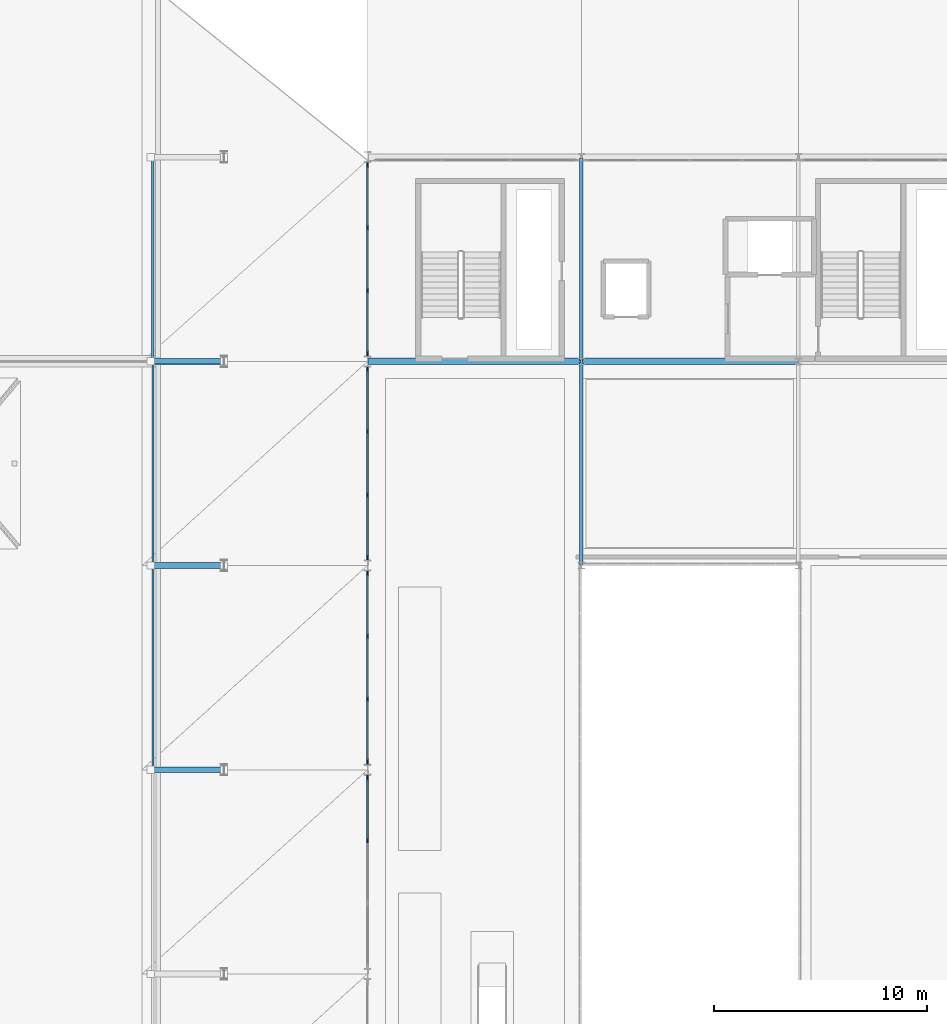
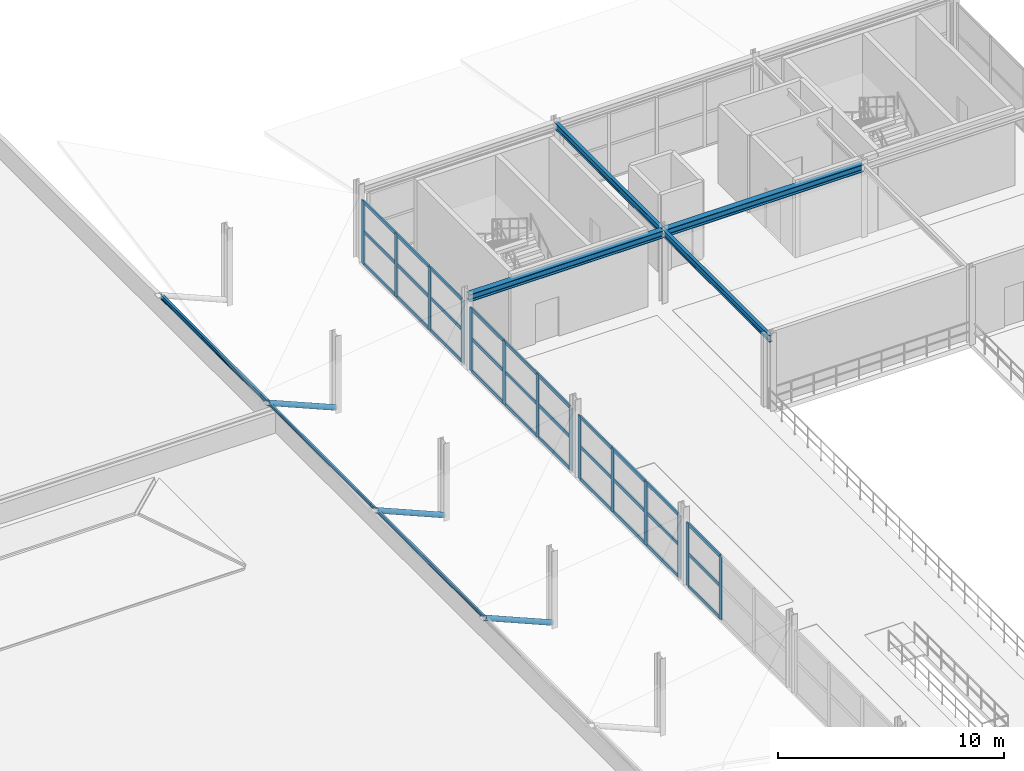
# One storey, part 22 of 81: 50 members, 4 beams, 4 elements without a shape of their own.
"""IFC4 building model written with IfcOpenShell, lengths in metres."""

from ifc_helpers import new_model, si_unit, direction, frame, origin, origin_2d, place, context, subcontext, project, spatial, rectangle, hollow_circle, i_section, extrude, material, layer, layer_set, material_profile, profile_set, type_object, element, aggregate, save


model = new_model("IFC4")

# Units and contexts
model_context = context("Model", 3, precision=1e-05, world=origin(), true_north=direction((0.0, 1.0)))
body_context = subcontext(model_context, "Body", "Model", "MODEL_VIEW")
ifc_project = project(units=[si_unit("LENGTHUNIT", "METRE"), si_unit("AREAUNIT", "SQUARE_METRE"), si_unit("VOLUMEUNIT", "CUBIC_METRE"), si_unit("PLANEANGLEUNIT", "RADIAN"), si_unit("MASSUNIT", "GRAM", prefix="KILO")], contexts=[model_context])

# Site, building, storey
site_placement = place(None, origin())
site = spatial("IfcSite", under=ifc_project, at=site_placement, CompositionType="ELEMENT")
building_placement = place(site_placement, origin())
building = spatial("IfcBuilding", under=site, at=building_placement, Name="Myrtia Square Station", CompositionType="ELEMENT")
storey_placement = place(building_placement, frame((0.0, 0.0, 10.800048828125)))
storey = spatial("IfcBuildingStorey", under=building, at=storey_placement, Name="L02", CompositionType="ELEMENT", Elevation=10.800048828125)

# Beams
ifc_material_1 = material(Name="Steel S355", Category="steel")
ifc_material_profile_1 = material_profile(ifc_material_1, i_section(OverallWidth=0.300048828125, OverallDepth=0.39990234375, WebThickness=0.013427734375, FlangeThickness=0.02392578125, FilletRadius=0.027099609375, at=origin_2d()), Name="HEB 400")
ifc_profile_set_1 = profile_set([ifc_material_profile_1], Name="Steel S355")
beam_type_1 = type_object("IfcBeamType", Name="BM-HEB400", PredefinedType="BEAM", material=ifc_profile_set_1)
beam_1_placement = place(storey_placement, frame((79.39990234375, 86.39990234375, 3.760009765625), z_axis=(1.0, 0.0, 0.0), x_axis=(0.0, 1.0, 0.0)))
element("IfcBeam", 1, at=beam_1_placement, inside=storey, type_object=beam_type_1, Name="Structural girder BMX-L02-0697", PredefinedType="BEAM", context=body_context, shape_type="SweptSolid", body=[
    extrude(i_section(OverallWidth=0.300048828125, OverallDepth=0.39990234375, WebThickness=0.013427734375, FlangeThickness=0.02392578125, FilletRadius=0.027099609375, at=origin_2d()), origin(), (0.0, 0.0, 1.0), 9.9501953125),
])
beam_2_placement = place(storey_placement, frame((89.449951171875, 86.39990234375, 3.760009765625), z_axis=(1.0, 0.0, 0.0), x_axis=(0.0, 1.0, 0.0)))
element("IfcBeam", 2, at=beam_2_placement, inside=storey, type_object=beam_type_1, Name="Structural girder BMX-L02-0698", PredefinedType="BEAM", context=body_context, shape_type="SweptSolid", body=[
    extrude(i_section(OverallWidth=0.300048828125, OverallDepth=0.39990234375, WebThickness=0.013427734375, FlangeThickness=0.02392578125, FilletRadius=0.027099609375, at=origin_2d()), origin(), (0.0, 0.0, 1.0), 10.10009765625),
])
ifc_material_profile_2 = material_profile(ifc_material_1, i_section(OverallWidth=0.169921875, OverallDepth=0.360107421875, WebThickness=0.008056640625, FlangeThickness=0.0126953125, FilletRadius=0.01806640625, at=origin_2d()), Name="IPE 360")
ifc_profile_set_2 = profile_set([ifc_material_profile_2], Name="Steel S355")
beam_type_2 = type_object("IfcBeamType", Name="BM-IPE360", PredefinedType="BEAM", material=ifc_profile_set_2)
for number, where, z_axis, x_axis, name in (
    (3, (89.39990234375, 76.85009765625, 3.780029296875), (0.0, 1.0, 0.0), (-1.0, 0.0, 0.0), "Structural girder BMY-L02-0705"),
    (4, (89.39990234375, 86.449951171875, 3.780029296875), (0.0, 1.0, 0.0), (-1.0, 0.0, 0.0), "Structural girder BMY-L02-0706"),
):
    element("IfcBeam", number, at=place(storey_placement, frame(where, z_axis=z_axis, x_axis=x_axis)), inside=storey, type_object=beam_type_2, Name=name, PredefinedType="BEAM", context=body_context, shape_type="SweptSolid", body=[
        extrude(i_section(OverallWidth=0.169921875, OverallDepth=0.360107421875, WebThickness=0.008056640625, FlangeThickness=0.0126953125, FilletRadius=0.01806640625, at=origin_2d()), origin(), (0.0, 0.0, 1.0), 9.5),
    ])

# Curtain wall, members
ifc_material_2 = material(Name="Dark bronze anodised aluminium", Category="aluminium")
ifc_layer = layer(ifc_material_2, 0.159912109375, Name="Dark bronze anodised aluminium")
ifc_layer_set = layer_set([ifc_layer], Name="Dark bronze anodised aluminium")
curtain_wall_type = type_object("IfcCurtainWallType", Name="CW-TYPE-05-890x341", PredefinedType="USERDEFINED", material=ifc_layer_set)
curtain_wall_1_placement = place(storey_placement, origin())
curtain_wall_1 = element("IfcCurtainWall", 5, at=curtain_wall_1_placement, inside=storey, type_object=curtain_wall_type, Name="Concourse curtain wall CW-L02-025", ObjectType="CONCOURSE CURTAIN WALL", PredefinedType="USERDEFINED")
ifc_material_profile_3 = material_profile(ifc_material_2, rectangle(XDim=0.074951171875, YDim=0.239990234375, at=origin_2d()), Name="ALU-M 75x240")
ifc_profile_set_3 = profile_set([ifc_material_profile_3], Name="Dark bronze anodised aluminium")
member_type_1 = type_object("IfcMemberType", Name="CWM-75x240", PredefinedType="MULLION", material=ifc_profile_set_3)
member_1_placement = place(storey_placement, frame((79.35009765625, 63.88330078125, 0.0), z_axis=(0.0, 0.0, 1.0), x_axis=(-1.0, 0.0, 0.0)))
member_1 = element("IfcMember", 6, at=member_1_placement, type_object=member_type_1, Name="CW-025 mullion 3", PredefinedType="MULLION", context=body_context, shape_type="SweptSolid", body=[
    extrude(rectangle(XDim=0.074951171875, YDim=0.239990234375, at=origin_2d()), origin(), (0.0, 0.0, 1.0), 3.409912109375),
])
member_2_placement = place(storey_placement, frame((79.35009765625, 66.8125, 0.0), z_axis=(0.0, 0.0, 1.0), x_axis=(-1.0, 0.0, 0.0)))
member_2 = element("IfcMember", 7, at=member_2_placement, type_object=member_type_1, Name="CW-025 mullion 4", PredefinedType="MULLION", context=body_context, shape_type="SweptSolid", body=[
    extrude(rectangle(XDim=0.074951171875, YDim=0.239990234375, at=origin_2d()), origin(), (0.0, 0.0, 1.0), 3.409912109375),
])

curtain_wall_2_placement = place(storey_placement, origin())
curtain_wall_2 = element("IfcCurtainWall", 8, at=curtain_wall_2_placement, inside=storey, type_object=curtain_wall_type, Name="Concourse curtain wall CW-L02-027", ObjectType="CONCOURSE CURTAIN WALL", PredefinedType="USERDEFINED")
member_3_placement = place(storey_placement, frame((79.35009765625, 67.58740234375, 0.0), z_axis=(0.0, 0.0, 1.0), x_axis=(-1.0, 0.0, 0.0)))
member_3 = element("IfcMember", 9, at=member_3_placement, type_object=member_type_1, Name="CW-027 mullion 1", PredefinedType="MULLION", context=body_context, shape_type="SweptSolid", body=[
    extrude(rectangle(XDim=0.074951171875, YDim=0.239990234375, at=origin_2d()), origin(), (0.0, 0.0, 1.0), 3.409912109375),
])
member_4_placement = place(storey_placement, frame((79.35009765625, 70.5166015625, 0.0), z_axis=(0.0, 0.0, 1.0), x_axis=(-1.0, 0.0, 0.0)))
member_4 = element("IfcMember", 10, at=member_4_placement, type_object=member_type_1, Name="CW-027 mullion 2", PredefinedType="MULLION", context=body_context, shape_type="SweptSolid", body=[
    extrude(rectangle(XDim=0.074951171875, YDim=0.239990234375, at=origin_2d()), origin(), (0.0, 0.0, 1.0), 3.409912109375),
])
member_5_placement = place(storey_placement, frame((79.35009765625, 73.4833984375, 0.0), z_axis=(0.0, 0.0, 1.0), x_axis=(-1.0, 0.0, 0.0)))
member_5 = element("IfcMember", 11, at=member_5_placement, type_object=member_type_1, Name="CW-027 mullion 3", PredefinedType="MULLION", context=body_context, shape_type="SweptSolid", body=[
    extrude(rectangle(XDim=0.074951171875, YDim=0.239990234375, at=origin_2d()), origin(), (0.0, 0.0, 1.0), 3.409912109375),
])
member_6_placement = place(storey_placement, frame((79.35009765625, 76.41259765625, 0.0), z_axis=(0.0, 0.0, 1.0), x_axis=(-1.0, 0.0, 0.0)))
member_6 = element("IfcMember", 12, at=member_6_placement, type_object=member_type_1, Name="CW-027 mullion 4", PredefinedType="MULLION", context=body_context, shape_type="SweptSolid", body=[
    extrude(rectangle(XDim=0.074951171875, YDim=0.239990234375, at=origin_2d()), origin(), (0.0, 0.0, 1.0), 3.409912109375),
])

curtain_wall_3_placement = place(storey_placement, origin())
curtain_wall_3 = element("IfcCurtainWall", 13, at=curtain_wall_3_placement, inside=storey, type_object=curtain_wall_type, Name="Concourse curtain wall CW-L02-029", ObjectType="CONCOURSE CURTAIN WALL", PredefinedType="USERDEFINED")
member_7_placement = place(storey_placement, frame((79.35009765625, 77.1875, 0.0), z_axis=(0.0, 0.0, 1.0), x_axis=(-1.0, 0.0, 0.0)))
member_7 = element("IfcMember", 14, at=member_7_placement, type_object=member_type_1, Name="CW-029 mullion 1", PredefinedType="MULLION", context=body_context, shape_type="SweptSolid", body=[
    extrude(rectangle(XDim=0.074951171875, YDim=0.239990234375, at=origin_2d()), origin(), (0.0, 0.0, 1.0), 3.409912109375),
])
member_8_placement = place(storey_placement, frame((79.35009765625, 80.11669921875, 0.0), z_axis=(0.0, 0.0, 1.0), x_axis=(-1.0, 0.0, 0.0)))
member_8 = element("IfcMember", 15, at=member_8_placement, type_object=member_type_1, Name="CW-029 mullion 2", PredefinedType="MULLION", context=body_context, shape_type="SweptSolid", body=[
    extrude(rectangle(XDim=0.074951171875, YDim=0.239990234375, at=origin_2d()), origin(), (0.0, 0.0, 1.0), 3.409912109375),
])
member_9_placement = place(storey_placement, frame((79.35009765625, 83.083251953125, 0.0), z_axis=(0.0, 0.0, 1.0), x_axis=(-1.0, 0.0, 0.0)))
member_9 = element("IfcMember", 16, at=member_9_placement, type_object=member_type_1, Name="CW-029 mullion 3", PredefinedType="MULLION", context=body_context, shape_type="SweptSolid", body=[
    extrude(rectangle(XDim=0.074951171875, YDim=0.239990234375, at=origin_2d()), origin(), (0.0, 0.0, 1.0), 3.409912109375),
])
member_10_placement = place(storey_placement, frame((79.35009765625, 86.012451171875, 0.0), z_axis=(0.0, 0.0, 1.0), x_axis=(-1.0, 0.0, 0.0)))
member_10 = element("IfcMember", 17, at=member_10_placement, type_object=member_type_1, Name="CW-029 mullion 4", PredefinedType="MULLION", context=body_context, shape_type="SweptSolid", body=[
    extrude(rectangle(XDim=0.074951171875, YDim=0.239990234375, at=origin_2d()), origin(), (0.0, 0.0, 1.0), 3.409912109375),
])

curtain_wall_4_placement = place(storey_placement, origin())
curtain_wall_4 = element("IfcCurtainWall", 18, at=curtain_wall_4_placement, inside=storey, type_object=curtain_wall_type, Name="Concourse curtain wall CW-L02-031", ObjectType="CONCOURSE CURTAIN WALL", PredefinedType="USERDEFINED")
member_11_placement = place(storey_placement, frame((79.35009765625, 86.78759765625, 0.0), z_axis=(0.0, 0.0, 1.0), x_axis=(-1.0, 0.0, 0.0)))
member_11 = element("IfcMember", 19, at=member_11_placement, type_object=member_type_1, Name="CW-031 mullion 1", PredefinedType="MULLION", context=body_context, shape_type="SweptSolid", body=[
    extrude(rectangle(XDim=0.074951171875, YDim=0.239990234375, at=origin_2d()), origin(), (0.0, 0.0, 1.0), 3.409912109375),
])
member_12_placement = place(storey_placement, frame((79.35009765625, 89.716552734375, 0.0), z_axis=(0.0, 0.0, 1.0), x_axis=(-1.0, 0.0, 0.0)))
member_12 = element("IfcMember", 20, at=member_12_placement, type_object=member_type_1, Name="CW-031 mullion 2", PredefinedType="MULLION", context=body_context, shape_type="SweptSolid", body=[
    extrude(rectangle(XDim=0.074951171875, YDim=0.239990234375, at=origin_2d()), origin(), (0.0, 0.0, 1.0), 3.409912109375),
])
member_13_placement = place(storey_placement, frame((79.35009765625, 92.683349609375, 0.0), z_axis=(0.0, 0.0, 1.0), x_axis=(-1.0, 0.0, 0.0)))
member_13 = element("IfcMember", 21, at=member_13_placement, type_object=member_type_1, Name="CW-031 mullion 3", PredefinedType="MULLION", context=body_context, shape_type="SweptSolid", body=[
    extrude(rectangle(XDim=0.074951171875, YDim=0.239990234375, at=origin_2d()), origin(), (0.0, 0.0, 1.0), 3.409912109375),
])
member_14_placement = place(storey_placement, frame((79.35009765625, 95.612548828125, 0.0), z_axis=(0.0, 0.0, 1.0), x_axis=(-1.0, 0.0, 0.0)))
member_14 = element("IfcMember", 22, at=member_14_placement, type_object=member_type_1, Name="CW-031 mullion 4", PredefinedType="MULLION", context=body_context, shape_type="SweptSolid", body=[
    extrude(rectangle(XDim=0.074951171875, YDim=0.239990234375, at=origin_2d()), origin(), (0.0, 0.0, 1.0), 3.409912109375),
])

# Member
ifc_material_profile_4 = material_profile(ifc_material_2, rectangle(XDim=0.074951171875, YDim=0.179931640625, at=origin_2d()), Name="ALU-T 75x180")
ifc_profile_set_4 = profile_set([ifc_material_profile_4], Name="Dark bronze anodised aluminium")
member_type_2 = type_object("IfcMemberType", Name="CWT-75x180", PredefinedType="USERDEFINED", material=ifc_profile_set_4)
member_15_placement = place(storey_placement, frame((79.35009765625, 63.9208984375, 0.037353515625), z_axis=(0.0, 1.0, 0.0), x_axis=(-1.0, 0.0, 0.0)))
member_15 = element("IfcMember", 23, at=member_15_placement, type_object=member_type_2, Name="CW-025 transom 3.1", ObjectType="TRANSOM", PredefinedType="USERDEFINED", context=body_context, shape_type="SweptSolid", body=[
    extrude(rectangle(XDim=0.074951171875, YDim=0.179931640625, at=origin_2d()), origin(), (0.0, 0.0, 1.0), 2.85400390625),
])

member_16_placement = place(storey_placement, frame((79.35009765625, 63.9208984375, 1.77294921875), z_axis=(0.0, 1.0, 0.0), x_axis=(-1.0, 0.0, 0.0)))
member_16 = element("IfcMember", 24, at=member_16_placement, type_object=member_type_2, Name="CW-025 transom 3.2", ObjectType="TRANSOM", PredefinedType="USERDEFINED", context=body_context, shape_type="SweptSolid", body=[
    extrude(rectangle(XDim=0.074951171875, YDim=0.179931640625, at=origin_2d()), origin(), (0.0, 0.0, 1.0), 2.85400390625),
])

member_17_placement = place(storey_placement, frame((79.35009765625, 63.9208984375, 3.37255859375), z_axis=(0.0, 1.0, 0.0), x_axis=(-1.0, 0.0, 0.0)))
member_17 = element("IfcMember", 25, at=member_17_placement, type_object=member_type_2, Name="CW-025 transom 3.3", ObjectType="TRANSOM", PredefinedType="USERDEFINED", context=body_context, shape_type="SweptSolid", body=[
    extrude(rectangle(XDim=0.074951171875, YDim=0.179931640625, at=origin_2d()), origin(), (0.0, 0.0, 1.0), 2.85400390625),
])

aggregate(curtain_wall_1, [member_1, member_2, member_15, member_16, member_17])

member_18_placement = place(storey_placement, frame((79.35009765625, 67.625, 0.037353515625), z_axis=(0.0, 1.0, 0.0), x_axis=(-1.0, 0.0, 0.0)))
member_18 = element("IfcMember", 26, at=member_18_placement, type_object=member_type_2, Name="CW-027 transom 1.1", ObjectType="TRANSOM", PredefinedType="USERDEFINED", context=body_context, shape_type="SweptSolid", body=[
    extrude(rectangle(XDim=0.074951171875, YDim=0.179931640625, at=origin_2d()), origin(), (0.0, 0.0, 1.0), 2.854248046875),
])

member_19_placement = place(storey_placement, frame((79.35009765625, 67.625, 1.77294921875), z_axis=(0.0, 1.0, 0.0), x_axis=(-1.0, 0.0, 0.0)))
member_19 = element("IfcMember", 27, at=member_19_placement, type_object=member_type_2, Name="CW-027 transom 1.2", ObjectType="TRANSOM", PredefinedType="USERDEFINED", context=body_context, shape_type="SweptSolid", body=[
    extrude(rectangle(XDim=0.074951171875, YDim=0.179931640625, at=origin_2d()), origin(), (0.0, 0.0, 1.0), 2.854248046875),
])

member_20_placement = place(storey_placement, frame((79.35009765625, 67.625, 3.37255859375), z_axis=(0.0, 1.0, 0.0), x_axis=(-1.0, 0.0, 0.0)))
member_20 = element("IfcMember", 28, at=member_20_placement, type_object=member_type_2, Name="CW-027 transom 1.3", ObjectType="TRANSOM", PredefinedType="USERDEFINED", context=body_context, shape_type="SweptSolid", body=[
    extrude(rectangle(XDim=0.074951171875, YDim=0.179931640625, at=origin_2d()), origin(), (0.0, 0.0, 1.0), 2.854248046875),
])

member_21_placement = place(storey_placement, frame((79.35009765625, 70.55419921875, 0.037353515625), z_axis=(0.0, 1.0, 0.0), x_axis=(-1.0, 0.0, 0.0)))
member_21 = element("IfcMember", 29, at=member_21_placement, type_object=member_type_2, Name="CW-027 transom 2.1", ObjectType="TRANSOM", PredefinedType="USERDEFINED", context=body_context, shape_type="SweptSolid", body=[
    extrude(rectangle(XDim=0.074951171875, YDim=0.179931640625, at=origin_2d()), origin(), (0.0, 0.0, 1.0), 2.8916015625),
])

member_22_placement = place(storey_placement, frame((79.35009765625, 70.55419921875, 1.77294921875), z_axis=(0.0, 1.0, 0.0), x_axis=(-1.0, 0.0, 0.0)))
member_22 = element("IfcMember", 30, at=member_22_placement, type_object=member_type_2, Name="CW-027 transom 2.2", ObjectType="TRANSOM", PredefinedType="USERDEFINED", context=body_context, shape_type="SweptSolid", body=[
    extrude(rectangle(XDim=0.074951171875, YDim=0.179931640625, at=origin_2d()), origin(), (0.0, 0.0, 1.0), 2.8916015625),
])

member_23_placement = place(storey_placement, frame((79.35009765625, 70.55419921875, 3.37255859375), z_axis=(0.0, 1.0, 0.0), x_axis=(-1.0, 0.0, 0.0)))
member_23 = element("IfcMember", 31, at=member_23_placement, type_object=member_type_2, Name="CW-027 transom 2.3", ObjectType="TRANSOM", PredefinedType="USERDEFINED", context=body_context, shape_type="SweptSolid", body=[
    extrude(rectangle(XDim=0.074951171875, YDim=0.179931640625, at=origin_2d()), origin(), (0.0, 0.0, 1.0), 2.8916015625),
])

member_24_placement = place(storey_placement, frame((79.35009765625, 73.520751953125, 0.037353515625), z_axis=(0.0, 1.0, 0.0), x_axis=(-1.0, 0.0, 0.0)))
member_24 = element("IfcMember", 32, at=member_24_placement, type_object=member_type_2, Name="CW-027 transom 3.1", ObjectType="TRANSOM", PredefinedType="USERDEFINED", context=body_context, shape_type="SweptSolid", body=[
    extrude(rectangle(XDim=0.074951171875, YDim=0.179931640625, at=origin_2d()), origin(), (0.0, 0.0, 1.0), 2.854248046875),
])

member_25_placement = place(storey_placement, frame((79.35009765625, 73.520751953125, 1.77294921875), z_axis=(0.0, 1.0, 0.0), x_axis=(-1.0, 0.0, 0.0)))
member_25 = element("IfcMember", 33, at=member_25_placement, type_object=member_type_2, Name="CW-027 transom 3.2", ObjectType="TRANSOM", PredefinedType="USERDEFINED", context=body_context, shape_type="SweptSolid", body=[
    extrude(rectangle(XDim=0.074951171875, YDim=0.179931640625, at=origin_2d()), origin(), (0.0, 0.0, 1.0), 2.854248046875),
])

member_26_placement = place(storey_placement, frame((79.35009765625, 73.520751953125, 3.37255859375), z_axis=(0.0, 1.0, 0.0), x_axis=(-1.0, 0.0, 0.0)))
member_26 = element("IfcMember", 34, at=member_26_placement, type_object=member_type_2, Name="CW-027 transom 3.3", ObjectType="TRANSOM", PredefinedType="USERDEFINED", context=body_context, shape_type="SweptSolid", body=[
    extrude(rectangle(XDim=0.074951171875, YDim=0.179931640625, at=origin_2d()), origin(), (0.0, 0.0, 1.0), 2.854248046875),
])

aggregate(curtain_wall_2, [member_3, member_4, member_5, member_6, member_18, member_19, member_20, member_21, member_22, member_23, member_24, member_25, member_26])

member_27_placement = place(storey_placement, frame((79.35009765625, 77.22509765625, 0.037353515625), z_axis=(0.0, 1.0, 0.0), x_axis=(-1.0, 0.0, 0.0)))
member_27 = element("IfcMember", 35, at=member_27_placement, type_object=member_type_2, Name="CW-029 transom 1.1", ObjectType="TRANSOM", PredefinedType="USERDEFINED", context=body_context, shape_type="SweptSolid", body=[
    extrude(rectangle(XDim=0.074951171875, YDim=0.179931640625, at=origin_2d()), origin(), (0.0, 0.0, 1.0), 2.85400390625),
])

member_28_placement = place(storey_placement, frame((79.35009765625, 77.22509765625, 1.77294921875), z_axis=(0.0, 1.0, 0.0), x_axis=(-1.0, 0.0, 0.0)))
member_28 = element("IfcMember", 36, at=member_28_placement, type_object=member_type_2, Name="CW-029 transom 1.2", ObjectType="TRANSOM", PredefinedType="USERDEFINED", context=body_context, shape_type="SweptSolid", body=[
    extrude(rectangle(XDim=0.074951171875, YDim=0.179931640625, at=origin_2d()), origin(), (0.0, 0.0, 1.0), 2.85400390625),
])

member_29_placement = place(storey_placement, frame((79.35009765625, 77.22509765625, 3.37255859375), z_axis=(0.0, 1.0, 0.0), x_axis=(-1.0, 0.0, 0.0)))
member_29 = element("IfcMember", 37, at=member_29_placement, type_object=member_type_2, Name="CW-029 transom 1.3", ObjectType="TRANSOM", PredefinedType="USERDEFINED", context=body_context, shape_type="SweptSolid", body=[
    extrude(rectangle(XDim=0.074951171875, YDim=0.179931640625, at=origin_2d()), origin(), (0.0, 0.0, 1.0), 2.85400390625),
])

member_30_placement = place(storey_placement, frame((79.35009765625, 80.154052734375, 0.037353515625), z_axis=(0.0, 1.0, 0.0), x_axis=(-1.0, 0.0, 0.0)))
member_30 = element("IfcMember", 38, at=member_30_placement, type_object=member_type_2, Name="CW-029 transom 2.1", ObjectType="TRANSOM", PredefinedType="USERDEFINED", context=body_context, shape_type="SweptSolid", body=[
    extrude(rectangle(XDim=0.074951171875, YDim=0.179931640625, at=origin_2d()), origin(), (0.0, 0.0, 1.0), 2.891845703125),
])

member_31_placement = place(storey_placement, frame((79.35009765625, 80.154052734375, 1.77294921875), z_axis=(0.0, 1.0, 0.0), x_axis=(-1.0, 0.0, 0.0)))
member_31 = element("IfcMember", 39, at=member_31_placement, type_object=member_type_2, Name="CW-029 transom 2.2", ObjectType="TRANSOM", PredefinedType="USERDEFINED", context=body_context, shape_type="SweptSolid", body=[
    extrude(rectangle(XDim=0.074951171875, YDim=0.179931640625, at=origin_2d()), origin(), (0.0, 0.0, 1.0), 2.891845703125),
])

member_32_placement = place(storey_placement, frame((79.35009765625, 80.154052734375, 3.37255859375), z_axis=(0.0, 1.0, 0.0), x_axis=(-1.0, 0.0, 0.0)))
member_32 = element("IfcMember", 40, at=member_32_placement, type_object=member_type_2, Name="CW-029 transom 2.3", ObjectType="TRANSOM", PredefinedType="USERDEFINED", context=body_context, shape_type="SweptSolid", body=[
    extrude(rectangle(XDim=0.074951171875, YDim=0.179931640625, at=origin_2d()), origin(), (0.0, 0.0, 1.0), 2.891845703125),
])

member_33_placement = place(storey_placement, frame((79.35009765625, 83.120849609375, 0.037353515625), z_axis=(0.0, 1.0, 0.0), x_axis=(-1.0, 0.0, 0.0)))
member_33 = element("IfcMember", 41, at=member_33_placement, type_object=member_type_2, Name="CW-029 transom 3.1", ObjectType="TRANSOM", PredefinedType="USERDEFINED", context=body_context, shape_type="SweptSolid", body=[
    extrude(rectangle(XDim=0.074951171875, YDim=0.179931640625, at=origin_2d()), origin(), (0.0, 0.0, 1.0), 2.854248046875),
])

member_34_placement = place(storey_placement, frame((79.35009765625, 83.120849609375, 1.77294921875), z_axis=(0.0, 1.0, 0.0), x_axis=(-1.0, 0.0, 0.0)))
member_34 = element("IfcMember", 42, at=member_34_placement, type_object=member_type_2, Name="CW-029 transom 3.2", ObjectType="TRANSOM", PredefinedType="USERDEFINED", context=body_context, shape_type="SweptSolid", body=[
    extrude(rectangle(XDim=0.074951171875, YDim=0.179931640625, at=origin_2d()), origin(), (0.0, 0.0, 1.0), 2.854248046875),
])

member_35_placement = place(storey_placement, frame((79.35009765625, 83.120849609375, 3.37255859375), z_axis=(0.0, 1.0, 0.0), x_axis=(-1.0, 0.0, 0.0)))
member_35 = element("IfcMember", 43, at=member_35_placement, type_object=member_type_2, Name="CW-029 transom 3.3", ObjectType="TRANSOM", PredefinedType="USERDEFINED", context=body_context, shape_type="SweptSolid", body=[
    extrude(rectangle(XDim=0.074951171875, YDim=0.179931640625, at=origin_2d()), origin(), (0.0, 0.0, 1.0), 2.854248046875),
])

aggregate(curtain_wall_3, [member_7, member_8, member_9, member_10, member_27, member_28, member_29, member_30, member_31, member_32, member_33, member_34, member_35])

member_36_placement = place(storey_placement, frame((79.35009765625, 86.824951171875, 0.037353515625), z_axis=(0.0, 1.0, 0.0), x_axis=(-1.0, 0.0, 0.0)))
member_36 = element("IfcMember", 44, at=member_36_placement, type_object=member_type_2, Name="CW-031 transom 1.1", ObjectType="TRANSOM", PredefinedType="USERDEFINED", context=body_context, shape_type="SweptSolid", body=[
    extrude(rectangle(XDim=0.074951171875, YDim=0.179931640625, at=origin_2d()), origin(), (0.0, 0.0, 1.0), 2.854248046875),
])

member_37_placement = place(storey_placement, frame((79.35009765625, 86.824951171875, 1.77294921875), z_axis=(0.0, 1.0, 0.0), x_axis=(-1.0, 0.0, 0.0)))
member_37 = element("IfcMember", 45, at=member_37_placement, type_object=member_type_2, Name="CW-031 transom 1.2", ObjectType="TRANSOM", PredefinedType="USERDEFINED", context=body_context, shape_type="SweptSolid", body=[
    extrude(rectangle(XDim=0.074951171875, YDim=0.179931640625, at=origin_2d()), origin(), (0.0, 0.0, 1.0), 2.854248046875),
])

member_38_placement = place(storey_placement, frame((79.35009765625, 86.824951171875, 3.37255859375), z_axis=(0.0, 1.0, 0.0), x_axis=(-1.0, 0.0, 0.0)))
member_38 = element("IfcMember", 46, at=member_38_placement, type_object=member_type_2, Name="CW-031 transom 1.3", ObjectType="TRANSOM", PredefinedType="USERDEFINED", context=body_context, shape_type="SweptSolid", body=[
    extrude(rectangle(XDim=0.074951171875, YDim=0.179931640625, at=origin_2d()), origin(), (0.0, 0.0, 1.0), 2.854248046875),
])

member_39_placement = place(storey_placement, frame((79.35009765625, 89.754150390625, 0.037353515625), z_axis=(0.0, 1.0, 0.0), x_axis=(-1.0, 0.0, 0.0)))
member_39 = element("IfcMember", 47, at=member_39_placement, type_object=member_type_2, Name="CW-031 transom 2.1", ObjectType="TRANSOM", PredefinedType="USERDEFINED", context=body_context, shape_type="SweptSolid", body=[
    extrude(rectangle(XDim=0.074951171875, YDim=0.179931640625, at=origin_2d()), origin(), (0.0, 0.0, 1.0), 2.8916015625),
])

member_40_placement = place(storey_placement, frame((79.35009765625, 89.754150390625, 1.77294921875), z_axis=(0.0, 1.0, 0.0), x_axis=(-1.0, 0.0, 0.0)))
member_40 = element("IfcMember", 48, at=member_40_placement, type_object=member_type_2, Name="CW-031 transom 2.2", ObjectType="TRANSOM", PredefinedType="USERDEFINED", context=body_context, shape_type="SweptSolid", body=[
    extrude(rectangle(XDim=0.074951171875, YDim=0.179931640625, at=origin_2d()), origin(), (0.0, 0.0, 1.0), 2.8916015625),
])

member_41_placement = place(storey_placement, frame((79.35009765625, 89.754150390625, 3.37255859375), z_axis=(0.0, 1.0, 0.0), x_axis=(-1.0, 0.0, 0.0)))
member_41 = element("IfcMember", 49, at=member_41_placement, type_object=member_type_2, Name="CW-031 transom 2.3", ObjectType="TRANSOM", PredefinedType="USERDEFINED", context=body_context, shape_type="SweptSolid", body=[
    extrude(rectangle(XDim=0.074951171875, YDim=0.179931640625, at=origin_2d()), origin(), (0.0, 0.0, 1.0), 2.8916015625),
])

member_42_placement = place(storey_placement, frame((79.35009765625, 92.720947265625, 0.037353515625), z_axis=(0.0, 1.0, 0.0), x_axis=(-1.0, 0.0, 0.0)))
member_42 = element("IfcMember", 50, at=member_42_placement, type_object=member_type_2, Name="CW-031 transom 3.1", ObjectType="TRANSOM", PredefinedType="USERDEFINED", context=body_context, shape_type="SweptSolid", body=[
    extrude(rectangle(XDim=0.074951171875, YDim=0.179931640625, at=origin_2d()), origin(), (0.0, 0.0, 1.0), 2.85400390625),
])

member_43_placement = place(storey_placement, frame((79.35009765625, 92.720947265625, 1.77294921875), z_axis=(0.0, 1.0, 0.0), x_axis=(-1.0, 0.0, 0.0)))
member_43 = element("IfcMember", 51, at=member_43_placement, type_object=member_type_2, Name="CW-031 transom 3.2", ObjectType="TRANSOM", PredefinedType="USERDEFINED", context=body_context, shape_type="SweptSolid", body=[
    extrude(rectangle(XDim=0.074951171875, YDim=0.179931640625, at=origin_2d()), origin(), (0.0, 0.0, 1.0), 2.85400390625),
])

member_44_placement = place(storey_placement, frame((79.35009765625, 92.720947265625, 3.37255859375), z_axis=(0.0, 1.0, 0.0), x_axis=(-1.0, 0.0, 0.0)))
member_44 = element("IfcMember", 52, at=member_44_placement, type_object=member_type_2, Name="CW-031 transom 3.3", ObjectType="TRANSOM", PredefinedType="USERDEFINED", context=body_context, shape_type="SweptSolid", body=[
    extrude(rectangle(XDim=0.074951171875, YDim=0.179931640625, at=origin_2d()), origin(), (0.0, 0.0, 1.0), 2.85400390625),
])

aggregate(curtain_wall_4, [member_11, member_12, member_13, member_14, member_36, member_37, member_38, member_39, member_40, member_41, member_42, member_43, member_44])

# Members
ifc_material_profile_5 = material_profile(ifc_material_1, i_section(OverallWidth=0.091064453125, OverallDepth=0.179931640625, WebThickness=0.00537109375, FlangeThickness=0.008056640625, FilletRadius=0.009033203125, at=origin_2d()), Name="IPE 180")
ifc_profile_set_5 = profile_set([ifc_material_profile_5], Name="Steel S355")
member_type_3 = type_object("IfcMemberType", Name="PUR-IPE180", PredefinedType="PURLIN", material=ifc_profile_set_5)
member_45_placement = place(storey_placement, frame((69.25, 76.800048828125, 1.510009765625), z_axis=(0.0, 1.0, 0.0), x_axis=(-1.0, 0.0, 0.0)))
element("IfcMember", 53, at=member_45_placement, inside=storey, type_object=member_type_3, Name="Overhang eave purlin PUR-L02-0052", PredefinedType="PURLIN", context=body_context, shape_type="SweptSolid", body=[
    extrude(i_section(OverallWidth=0.091064453125, OverallDepth=0.179931640625, WebThickness=0.00537109375, FlangeThickness=0.008056640625, FilletRadius=0.009033203125, at=origin_2d()), origin(), (0.0, 0.0, 1.0), 9.599853515625),
])
ifc_material_profile_6 = material_profile(ifc_material_1, i_section(OverallWidth=0.10009765625, OverallDepth=0.199951171875, WebThickness=0.005615234375, FlangeThickness=0.008544921875, FilletRadius=0.011962890625, at=origin_2d()), Name="IPE 200")
ifc_profile_set_6 = profile_set([ifc_material_profile_6], Name="Steel S355")
member_type_4 = type_object("IfcMemberType", Name="PUR-IPE200", PredefinedType="PURLIN", material=ifc_profile_set_6)
member_46_placement = place(storey_placement, frame((69.25, 67.199951171875, 1.510009765625), z_axis=(0.0, 1.0, 0.0), x_axis=(-1.0, 0.0, 0.0)))
element("IfcMember", 54, at=member_46_placement, inside=storey, type_object=member_type_4, Name="Overhang eave purlin PUR-L02-0043", PredefinedType="PURLIN", context=body_context, shape_type="SweptSolid", body=[
    extrude(i_section(OverallWidth=0.10009765625, OverallDepth=0.199951171875, WebThickness=0.005615234375, FlangeThickness=0.008544921875, FilletRadius=0.011962890625, at=origin_2d()), origin(), (0.0, 0.0, 1.0), 9.60009765625),
])
ifc_material_profile_7 = material_profile(ifc_material_1, i_section(OverallWidth=0.1201171875, OverallDepth=0.239990234375, WebThickness=0.006103515625, FlangeThickness=0.009765625, FilletRadius=0.014892578125, at=origin_2d()), Name="IPE 240")
ifc_profile_set_7 = profile_set([ifc_material_profile_7], Name="Steel S355")
member_type_5 = type_object("IfcMemberType", Name="PUR-IPE240", PredefinedType="PURLIN", material=ifc_profile_set_7)
member_47_placement = place(storey_placement, frame((69.25, 86.39990234375, 1.510009765625), z_axis=(0.0, 1.0, 0.0), x_axis=(-1.0, 0.0, 0.0)))
element("IfcMember", 55, at=member_47_placement, inside=storey, type_object=member_type_5, Name="Overhang eave purlin PUR-L02-0061", PredefinedType="PURLIN", context=body_context, shape_type="SweptSolid", body=[
    extrude(i_section(OverallWidth=0.1201171875, OverallDepth=0.239990234375, WebThickness=0.006103515625, FlangeThickness=0.009765625, FilletRadius=0.014892578125, at=origin_2d()), origin(), (0.0, 0.0, 1.0), 9.60009765625),
])
ifc_material_profile_8 = material_profile(ifc_material_1, hollow_circle(Radius=0.136474609375, WallThickness=0.01611328125, at=origin_2d()), Name="CHS 273x16")
ifc_profile_set_8 = profile_set([ifc_material_profile_8], Name="Steel S355")
member_type_6 = type_object("IfcMemberType", Name="STR-CHS273", PredefinedType="STRUT", material=ifc_profile_set_8)
for number, where, z_axis, x_axis, name in (
    (56, (72.60009765625, 67.199951171875, 0.14990234375), (-0.920450451423, 0.0, 0.39085926684), (0.0, -1.0, 0.0), "Lower wrap west raking strut STR-LO-017"),
    (57, (72.60009765625, 76.800048828125, 0.14990234375), (-0.920450451423, 0.0, 0.39085926684), (0.0, -1.0, 0.0), "Lower wrap west raking strut STR-LO-021"),
    (58, (72.60009765625, 86.39990234375, 0.14990234375), (-0.920450451423, 0.0, 0.39085926684), (0.0, -1.0, 0.0), "Lower wrap west raking strut STR-LO-025"),
):
    element("IfcMember", number, at=place(storey_placement, frame(where, z_axis=z_axis, x_axis=x_axis)), inside=storey, type_object=member_type_6, Name=name, PredefinedType="STRUT", context=body_context, shape_type="SweptSolid", body=[
        extrude(hollow_circle(Radius=0.136474609375, WallThickness=0.01611328125, at=origin_2d()), origin(), (0.0, 0.0, 1.0), 3.748291015625),
    ])

save(model, "model.ifc")
